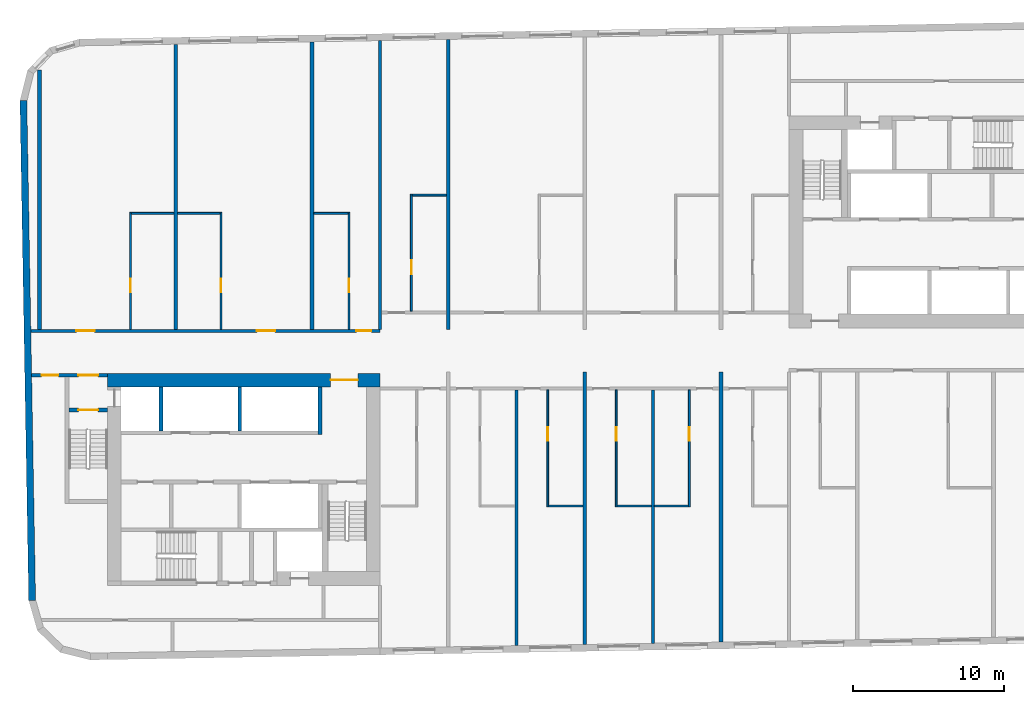
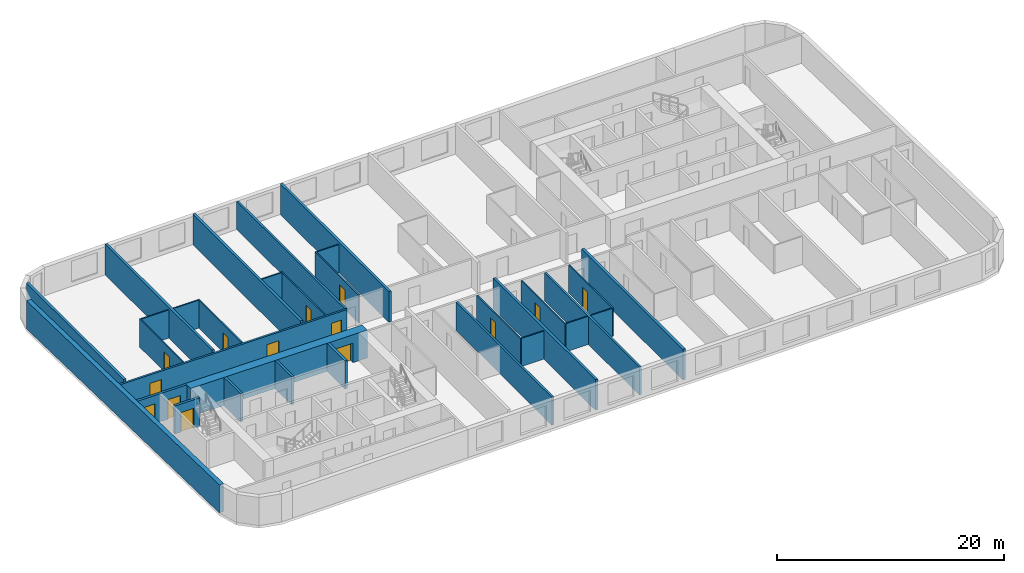
# One storey, part 3 of 11: 31 walls, 14 doors, 14 openings.
"""IFC4 building model written with IfcOpenShell, lengths in metres."""

from ifc_helpers import new_model, si_unit, direction, frame, frame_2d, origin, place, context, subcontext, project, spatial, rectangle, extrude, material, layer, layer_set, type_object, element, fill, save


model = new_model("IFC4")

# Units and contexts
model_context = context("Model", 3, precision=1e-05, world=origin(), true_north=direction((0.0, 1.0)))
body_context = subcontext(model_context, "Body", "Model", "MODEL_VIEW")
ifc_project = project(units=[si_unit("LENGTHUNIT", "METRE"), si_unit("AREAUNIT", "SQUARE_METRE"), si_unit("VOLUMEUNIT", "CUBIC_METRE"), si_unit("PLANEANGLEUNIT", "RADIAN"), si_unit("MASSUNIT", "GRAM", prefix="KILO")], contexts=[model_context])

# Site, building, storey
site_placement = place(None, origin())
site = spatial("IfcSite", under=ifc_project, at=site_placement, CompositionType="ELEMENT")
building_placement = place(site_placement, origin())
building = spatial("IfcBuilding", under=site, at=building_placement, Name="Kajstack Hotel Tower", CompositionType="ELEMENT")
storey_placement = place(building_placement, frame((0.0, 0.0, 244.10009765625)))
storey = spatial("IfcBuildingStorey", under=building, at=storey_placement, Name="L60", CompositionType="ELEMENT", Elevation=244.10009765625)

# Wall, opening, door
ifc_material_1 = material(Name="Concrete C60/75", Category="concrete")
ifc_layer_1 = layer(ifc_material_1, 0.89990234375)
ifc_layer_set_1 = layer_set([ifc_layer_1], Name="Core wall 900")
wall_type_1 = type_object("IfcWallType", Name="Core wall 900", PredefinedType="SHEAR", material=ifc_layer_set_1)
wall_1_placement = place(storey_placement, frame((-31.5, -1.949951171875, 0.0), z_axis=(0.0, 0.0, 1.0), x_axis=(1.0, 0.0, 0.0)))
wall_1 = element("IfcWall", 1, at=wall_1_placement, inside=storey, type_object=wall_type_1, Name="Core wall W RN", PredefinedType="SHEAR", context=body_context, shape_type="SweptSolid", body=[
    extrude(rectangle(XDim=18.0, YDim=0.89990234375, at=frame_2d((9.0, 0.0))), origin(), (0.0, 0.0, 1.0), 3.02001953125),
])
opening_1_placement = place(wall_1_placement, frame((14.72509765625, 0.0, 0.0)))
opening_1 = element("IfcOpeningElement", 2, at=opening_1_placement, cuts=wall_1, Name="Opening 60W07", PredefinedType="OPENING", context=body_context, shape_type="SweptSolid", body=[
    extrude(rectangle(XDim=1.800048828125, YDim=2.10009765625, at=frame_2d((0.89990234375, 1.050048828125))), frame((0.0, 0.4599609375, 0.0), z_axis=(0.0, -1.0, 0.0), x_axis=(1.0, 0.0, 0.0)), (0.0, 0.0, 1.0), 0.919921875),
])
ifc_material_2 = material(Name="Glazed steel frame, fire-rated glass", Category="steel")
door_type_1 = type_object("IfcDoorType", Name="Lobby double door 1800", OperationType="DOUBLE_DOOR_DOUBLE_SWING", PredefinedType="DOOR", material=ifc_material_2)
door_1_placement = place(opening_1_placement, origin())
door_1 = element("IfcDoor", 3, at=door_1_placement, inside=storey, type_object=door_type_1, Name="Door 60W07", OperationType="DOUBLE_DOOR_DOUBLE_SWING", OverallHeight=2.10009765625, OverallWidth=1.800048828125, PredefinedType="DOOR", context=body_context, shape_type="SweptSolid", body=[
    extrude(rectangle(XDim=1.800048828125, YDim=2.10009765625, at=frame_2d((0.89990234375, 1.050048828125))), frame((0.0, 0.02490234375, 0.0), z_axis=(0.0, -1.0, 0.0), x_axis=(1.0, 0.0, 0.0)), (0.0, 0.0, 1.0), 0.050048828125),
])
fill(opening_1, door_1)

# Wall, openings, doors
ifc_material_3 = material(Name="Gypsum board on steel studs, mineral wool", Category="steel")
ifc_layer_2 = layer(ifc_material_3, 0.199951171875)
ifc_layer_set_2 = layer_set([ifc_layer_2], Name="Corridor wall 200")
wall_type_2 = type_object("IfcWallType", Name="Corridor wall 200", PredefinedType="PARTITIONING", material=ifc_layer_set_2)
wall_2_placement = place(storey_placement, frame((-36.56591796875, 1.300048828125, 0.0), z_axis=(0.0, 0.0, 1.0), x_axis=(1.0, 0.0, 0.0)))
wall_2 = element("IfcWall", 4, at=wall_2_placement, inside=storey, type_object=wall_type_2, Name="G-wall-L60-003", PredefinedType="PARTITIONING", context=body_context, shape_type="SweptSolid", body=[
    extrude(rectangle(XDim=23.06591796875, YDim=0.199951171875, at=frame_2d((11.532958984375, 0.0))), origin(), (0.0, 0.0, 1.0), 3.02001953125),
])
opening_2_placement = place(wall_2_placement, frame((3.00390625, 0.0, 0.0)))
opening_2 = element("IfcOpeningElement", 5, at=opening_2_placement, cuts=wall_2, Name="Opening 60001", PredefinedType="OPENING", context=body_context, shape_type="SweptSolid", body=[
    extrude(rectangle(XDim=1.199951171875, YDim=2.10009765625, at=frame_2d((0.60009765625, 1.050048828125))), frame((0.0, 0.10986328125, 0.0), z_axis=(0.0, -1.0, 0.0), x_axis=(1.0, 0.0, 0.0)), (0.0, 0.0, 1.0), 0.219970703125),
])
opening_3_placement = place(wall_2_placement, frame((14.928955078125, 0.0, 0.0)))
opening_3 = element("IfcOpeningElement", 6, at=opening_3_placement, cuts=wall_2, Name="Opening 60003", PredefinedType="OPENING", context=body_context, shape_type="SweptSolid", body=[
    extrude(rectangle(XDim=1.199951171875, YDim=2.10009765625, at=frame_2d((0.60009765625, 1.050048828125))), frame((0.0, 0.10986328125, 0.0), z_axis=(0.0, -1.0, 0.0), x_axis=(1.0, 0.0, 0.0)), (0.0, 0.0, 1.0), 0.219970703125),
])
opening_4_placement = place(wall_2_placement, frame((21.490966796875, 0.0, 0.0)))
opening_4 = element("IfcOpeningElement", 7, at=opening_4_placement, cuts=wall_2, Name="Opening 60005", PredefinedType="OPENING", context=body_context, shape_type="SweptSolid", body=[
    extrude(rectangle(XDim=1.0, YDim=2.10009765625, at=frame_2d((0.5, 1.050048828125))), frame((0.0, 0.10986328125, 0.0), z_axis=(0.0, -1.0, 0.0), x_axis=(1.0, 0.0, 0.0)), (0.0, 0.0, 1.0), 0.219970703125),
])
ifc_material_4 = material(Name="Oak veneer on timber core, fire-rated leaf", Category="wood")
door_type_2 = type_object("IfcDoorType", Name="Flat entrance door 1000", OperationType="SINGLE_SWING_LEFT", PredefinedType="DOOR", material=ifc_material_4)
door_2_placement = place(opening_4_placement, origin())
door_2 = element("IfcDoor", 8, at=door_2_placement, inside=storey, type_object=door_type_2, Name="G-door-L60-05", OperationType="SINGLE_SWING_RIGHT", OverallHeight=2.10009765625, OverallWidth=1.0, PredefinedType="DOOR", context=body_context, shape_type="SweptSolid", body=[
    extrude(rectangle(XDim=1.0, YDim=2.10009765625, at=frame_2d((0.5, 1.050048828125))), frame((0.0, 0.02490234375, 0.0), z_axis=(0.0, -1.0, 0.0), x_axis=(1.0, 0.0, 0.0)), (0.0, 0.0, 1.0), 0.050048828125),
])
fill(opening_4, door_2)
door_type_3 = type_object("IfcDoorType", Name="Flat entrance door 1200", OperationType="SINGLE_SWING_LEFT", PredefinedType="DOOR", material=ifc_material_4)
door_3_placement = place(opening_2_placement, origin())
door_3 = element("IfcDoor", 9, at=door_3_placement, inside=storey, type_object=door_type_3, Name="G-door-L60-01", OperationType="SINGLE_SWING_LEFT", OverallHeight=2.10009765625, OverallWidth=1.199951171875, PredefinedType="DOOR", context=body_context, shape_type="SweptSolid", body=[
    extrude(rectangle(XDim=1.199951171875, YDim=2.10009765625, at=frame_2d((0.60009765625, 1.050048828125))), frame((0.0, 0.02490234375, 0.0), z_axis=(0.0, -1.0, 0.0), x_axis=(1.0, 0.0, 0.0)), (0.0, 0.0, 1.0), 0.050048828125),
])
fill(opening_2, door_3)
door_4_placement = place(opening_3_placement, origin())
door_4 = element("IfcDoor", 10, at=door_4_placement, inside=storey, type_object=door_type_3, Name="G-door-L60-03", OperationType="SINGLE_SWING_RIGHT", OverallHeight=2.10009765625, OverallWidth=1.199951171875, PredefinedType="DOOR", context=body_context, shape_type="SweptSolid", body=[
    extrude(rectangle(XDim=1.199951171875, YDim=2.10009765625, at=frame_2d((0.60009765625, 1.050048828125))), frame((0.0, 0.02490234375, 0.0), z_axis=(0.0, -1.0, 0.0), x_axis=(1.0, 0.0, 0.0)), (0.0, 0.0, 1.0), 0.050048828125),
])
fill(opening_3, door_4)

# Walls
ifc_material_5 = material(Name="Twin-frame gypsum board on steel studs, mineral wool", Category="steel")
ifc_layer_3 = layer(ifc_material_5, 0.199951171875)
ifc_layer_set_3 = layer_set([ifc_layer_3], Name="Demising wall 200")
wall_type_3 = type_object("IfcWallType", Name="Demising wall 200", PredefinedType="PARTITIONING", material=ifc_layer_set_3)
wall_3_placement = place(storey_placement, frame((-13.5, 1.39990234375, 0.0), z_axis=(0.0, 0.0, 1.0), x_axis=(0.0, 1.0, 0.0)))
element("IfcWall", 11, at=wall_3_placement, inside=storey, type_object=wall_type_3, Name="G-wall-L60-009", PredefinedType="PARTITIONING", context=body_context, shape_type="SweptSolid", body=[
    extrude(rectangle(XDim=19.065185546875, YDim=0.199951171875, at=frame_2d((9.53271484375, 0.0))), origin(), (0.0, 0.0, 1.0), 3.02001953125),
])
wall_4_placement = place(storey_placement, frame((-4.5, -19.48388671875, 0.0), z_axis=(0.0, 0.0, 1.0), x_axis=(0.0, 1.0, 0.0)))
element("IfcWall", 12, at=wall_4_placement, inside=storey, type_object=wall_type_3, Name="G-wall-L60-024", PredefinedType="PARTITIONING", context=body_context, shape_type="SweptSolid", body=[
    extrude(rectangle(XDim=16.8837890625, YDim=0.199951171875, at=frame_2d((8.44189453125, 0.0))), origin(), (0.0, 0.0, 1.0), 3.02001953125),
])
wall_5_placement = place(storey_placement, frame((4.5, -19.326904296875, 0.0), z_axis=(0.0, 0.0, 1.0), x_axis=(0.0, 1.0, 0.0)))
element("IfcWall", 13, at=wall_5_placement, inside=storey, type_object=wall_type_3, Name="G-wall-L60-029", PredefinedType="PARTITIONING", context=body_context, shape_type="SweptSolid", body=[
    extrude(rectangle(XDim=16.726806640625, YDim=0.199951171875, at=frame_2d((8.36328125, 0.0))), origin(), (0.0, 0.0, 1.0), 3.02001953125),
])
ifc_material_6 = material(Name="Terracotta-faced brick masonry", Category="masonry")
ifc_layer_4 = layer(ifc_material_6, 0.449951171875)
ifc_layer_set_4 = layer_set([ifc_layer_4], Name="EW-TERRA")
wall_type_4 = type_object("IfcWallType", Name="EW-TERRA", PredefinedType="SOLIDWALL", material=ifc_layer_set_4)
wall_6_placement = place(storey_placement, frame((-37.056884765625, 16.50341796875, 0.0), z_axis=(0.0, 0.0, 1.0), x_axis=(0.017452279857, -0.999847697366, 0.0)))
element("IfcWall", 14, at=wall_6_placement, inside=storey, type_object=wall_type_4, Name="E-wall-L60-00-00", PredefinedType="SOLIDWALL", context=body_context, shape_type="SweptSolid", body=[
    extrude(rectangle(XDim=33.000244140625, YDim=0.449951171875, at=frame_2d((16.5, 0.0))), origin(), (0.0, 0.0, 1.0), 3.02001953125),
])

# Wall, opening, door
ifc_material_7 = material(Name="Gypsum board and tiled backer on steel studs", Category="steel")
ifc_layer_5 = layer(ifc_material_7, 0.125)
ifc_layer_set_5 = layer_set([ifc_layer_5], Name="En-suite wall 125")
wall_type_5 = type_object("IfcWallType", Name="En-suite wall 125", PredefinedType="PARTITIONING", material=ifc_layer_set_5)
wall_7_placement = place(storey_placement, frame((-29.988037109375, 1.39990234375, 0.0), z_axis=(0.0, 0.0, 1.0), x_axis=(0.0, 1.0, 0.0)))
wall_7 = element("IfcWall", 15, at=wall_7_placement, inside=storey, type_object=wall_type_5, Name="G-wall-L60-005", PredefinedType="PARTITIONING", context=body_context, shape_type="SweptSolid", body=[
    extrude(rectangle(XDim=7.72509765625, YDim=0.125, at=frame_2d((3.862548828125, 0.0))), origin(), (0.0, 0.0, 1.0), 3.02001953125),
])
opening_5_placement = place(wall_7_placement, frame((2.449951171875, 0.0, 0.0)))
opening_5 = element("IfcOpeningElement", 16, at=opening_5_placement, cuts=wall_7, Name="Opening 60002", PredefinedType="OPENING", context=body_context, shape_type="SweptSolid", body=[
    extrude(rectangle(XDim=0.89990234375, YDim=2.10009765625, at=frame_2d((0.449951171875, 1.050048828125))), frame((0.0, 0.072509765625, 0.0), z_axis=(0.0, -1.0, 0.0), x_axis=(1.0, 0.0, 0.0)), (0.0, 0.0, 1.0), 0.14501953125),
])
ifc_material_8 = material(Name="Painted timber door leaf", Category="wood")
door_type_4 = type_object("IfcDoorType", Name="Room door 900", OperationType="SINGLE_SWING_LEFT", PredefinedType="DOOR", material=ifc_material_8)
door_5_placement = place(opening_5_placement, origin())
door_5 = element("IfcDoor", 17, at=door_5_placement, inside=storey, type_object=door_type_4, Name="G-door-L60-02", OperationType="SINGLE_SWING_RIGHT", OverallHeight=2.10009765625, OverallWidth=0.89990234375, PredefinedType="DOOR", context=body_context, shape_type="SweptSolid", body=[
    extrude(rectangle(XDim=0.89990234375, YDim=2.10009765625, at=frame_2d((0.449951171875, 1.050048828125))), frame((0.0, 0.02490234375, 0.0), z_axis=(0.0, -1.0, 0.0), x_axis=(1.0, 0.0, 0.0)), (0.0, 0.0, 1.0), 0.050048828125),
])
fill(opening_5, door_5)

# Wall
wall_8_placement = place(storey_placement, frame((-29.925048828125, 9.06201171875, 0.0), z_axis=(0.0, 0.0, 1.0), x_axis=(1.0, 0.0, 0.0)))
element("IfcWall", 18, at=wall_8_placement, inside=storey, type_object=wall_type_5, Name="G-wall-L60-006", PredefinedType="PARTITIONING", context=body_context, shape_type="SweptSolid", body=[
    extrude(rectangle(XDim=2.800048828125, YDim=0.125, at=frame_2d((1.39990234375, 0.0))), origin(), (0.0, 0.0, 1.0), 3.02001953125),
])

# Wall, opening, door
wall_9_placement = place(storey_placement, frame((-24.011962890625, 1.39990234375, 0.0), z_axis=(0.0, 0.0, 1.0), x_axis=(0.0, 1.0, 0.0)))
wall_9 = element("IfcWall", 19, at=wall_9_placement, inside=storey, type_object=wall_type_5, Name="G-wall-L60-007", PredefinedType="PARTITIONING", context=body_context, shape_type="SweptSolid", body=[
    extrude(rectangle(XDim=7.72509765625, YDim=0.125, at=frame_2d((3.862548828125, 0.0))), origin(), (0.0, 0.0, 1.0), 3.02001953125),
])
opening_6_placement = place(wall_9_placement, frame((2.449951171875, 0.0, 0.0)))
opening_6 = element("IfcOpeningElement", 20, at=opening_6_placement, cuts=wall_9, Name="Opening 60004", PredefinedType="OPENING", context=body_context, shape_type="SweptSolid", body=[
    extrude(rectangle(XDim=0.89990234375, YDim=2.10009765625, at=frame_2d((0.449951171875, 1.050048828125))), frame((0.0, 0.072509765625, 0.0), z_axis=(0.0, -1.0, 0.0), x_axis=(1.0, 0.0, 0.0)), (0.0, 0.0, 1.0), 0.14501953125),
])
door_6_placement = place(opening_6_placement, origin())
door_6 = element("IfcDoor", 21, at=door_6_placement, inside=storey, type_object=door_type_4, Name="G-door-L60-04", OperationType="SINGLE_SWING_LEFT", OverallHeight=2.10009765625, OverallWidth=0.89990234375, PredefinedType="DOOR", context=body_context, shape_type="SweptSolid", body=[
    extrude(rectangle(XDim=0.89990234375, YDim=2.10009765625, at=frame_2d((0.449951171875, 1.050048828125))), frame((0.0, 0.02490234375, 0.0), z_axis=(0.0, -1.0, 0.0), x_axis=(1.0, 0.0, 0.0)), (0.0, 0.0, 1.0), 0.050048828125),
])
fill(opening_6, door_6)

# Wall
wall_10_placement = place(storey_placement, frame((-26.875, 9.06201171875, 0.0), z_axis=(0.0, 0.0, 1.0), x_axis=(1.0, 0.0, 0.0)))
element("IfcWall", 22, at=wall_10_placement, inside=storey, type_object=wall_type_5, Name="G-wall-L60-008", PredefinedType="PARTITIONING", context=body_context, shape_type="SweptSolid", body=[
    extrude(rectangle(XDim=2.800048828125, YDim=0.125, at=frame_2d((1.39990234375, 0.0))), origin(), (0.0, 0.0, 1.0), 3.02001953125),
])

# Wall, opening, door
wall_11_placement = place(storey_placement, frame((-15.56201171875, 1.39990234375, 0.0), z_axis=(0.0, 0.0, 1.0), x_axis=(0.0, 1.0, 0.0)))
wall_11 = element("IfcWall", 23, at=wall_11_placement, inside=storey, type_object=wall_type_5, Name="G-wall-L60-010", PredefinedType="PARTITIONING", context=body_context, shape_type="SweptSolid", body=[
    extrude(rectangle(XDim=7.72509765625, YDim=0.125, at=frame_2d((3.862548828125, 0.0))), origin(), (0.0, 0.0, 1.0), 3.02001953125),
])
opening_7_placement = place(wall_11_placement, frame((2.449951171875, 0.0, 0.0)))
opening_7 = element("IfcOpeningElement", 24, at=opening_7_placement, cuts=wall_11, Name="Opening 60006", PredefinedType="OPENING", context=body_context, shape_type="SweptSolid", body=[
    extrude(rectangle(XDim=0.89990234375, YDim=2.10009765625, at=frame_2d((0.449951171875, 1.050048828125))), frame((0.0, 0.072509765625, 0.0), z_axis=(0.0, -1.0, 0.0), x_axis=(1.0, 0.0, 0.0)), (0.0, 0.0, 1.0), 0.14501953125),
])
door_7_placement = place(opening_7_placement, origin())
door_7 = element("IfcDoor", 25, at=door_7_placement, inside=storey, type_object=door_type_4, Name="G-door-L60-06", OperationType="SINGLE_SWING_LEFT", OverallHeight=2.10009765625, OverallWidth=0.89990234375, PredefinedType="DOOR", context=body_context, shape_type="SweptSolid", body=[
    extrude(rectangle(XDim=0.89990234375, YDim=2.10009765625, at=frame_2d((0.449951171875, 1.050048828125))), frame((0.0, 0.02490234375, 0.0), z_axis=(0.0, -1.0, 0.0), x_axis=(1.0, 0.0, 0.0)), (0.0, 0.0, 1.0), 0.050048828125),
])
fill(opening_7, door_7)

# Wall
wall_12_placement = place(storey_placement, frame((-17.875, 9.06201171875, 0.0), z_axis=(0.0, 0.0, 1.0), x_axis=(1.0, 0.0, 0.0)))
element("IfcWall", 26, at=wall_12_placement, inside=storey, type_object=wall_type_5, Name="G-wall-L60-011", PredefinedType="PARTITIONING", context=body_context, shape_type="SweptSolid", body=[
    extrude(rectangle(XDim=2.25, YDim=0.125, at=frame_2d((1.125, 0.0))), origin(), (0.0, 0.0, 1.0), 3.02001953125),
])

# Wall, opening, door
wall_13_placement = place(storey_placement, frame((-11.43798828125, 2.60009765625, 0.0), z_axis=(0.0, 0.0, 1.0), x_axis=(0.0, 1.0, 0.0)))
wall_13 = element("IfcWall", 27, at=wall_13_placement, inside=storey, type_object=wall_type_5, Name="G-wall-L60-012", PredefinedType="PARTITIONING", context=body_context, shape_type="SweptSolid", body=[
    extrude(rectangle(XDim=7.724853515625, YDim=0.125, at=frame_2d((3.8623046875, 0.0))), origin(), (0.0, 0.0, 1.0), 3.02001953125),
])
opening_8_placement = place(wall_13_placement, frame((2.449951171875, 0.0, 0.0)))
opening_8 = element("IfcOpeningElement", 28, at=opening_8_placement, cuts=wall_13, Name="Opening 60008", PredefinedType="OPENING", context=body_context, shape_type="SweptSolid", body=[
    extrude(rectangle(XDim=0.89990234375, YDim=2.10009765625, at=frame_2d((0.449951171875, 1.050048828125))), frame((0.0, 0.072509765625, 0.0), z_axis=(0.0, -1.0, 0.0), x_axis=(1.0, 0.0, 0.0)), (0.0, 0.0, 1.0), 0.14501953125),
])
door_8_placement = place(opening_8_placement, origin())
door_8 = element("IfcDoor", 29, at=door_8_placement, inside=storey, type_object=door_type_4, Name="G-door-L60-08", OperationType="SINGLE_SWING_RIGHT", OverallHeight=2.10009765625, OverallWidth=0.89990234375, PredefinedType="DOOR", context=body_context, shape_type="SweptSolid", body=[
    extrude(rectangle(XDim=0.89990234375, YDim=2.10009765625, at=frame_2d((0.449951171875, 1.050048828125))), frame((0.0, 0.02490234375, 0.0), z_axis=(0.0, -1.0, 0.0), x_axis=(1.0, 0.0, 0.0)), (0.0, 0.0, 1.0), 0.050048828125),
])
fill(opening_8, door_8)

# Wall
wall_14_placement = place(storey_placement, frame((-11.375, 10.261962890625, 0.0), z_axis=(0.0, 0.0, 1.0), x_axis=(1.0, 0.0, 0.0)))
element("IfcWall", 30, at=wall_14_placement, inside=storey, type_object=wall_type_5, Name="G-wall-L60-013", PredefinedType="PARTITIONING", context=body_context, shape_type="SweptSolid", body=[
    extrude(rectangle(XDim=2.25, YDim=0.125, at=frame_2d((1.125, 0.0))), origin(), (0.0, 0.0, 1.0), 3.02001953125),
])

# Wall, opening, door
wall_15_placement = place(storey_placement, frame((-2.43798828125, -10.324951171875, 0.0), z_axis=(0.0, 0.0, 1.0), x_axis=(0.0, 1.0, 0.0)))
wall_15 = element("IfcWall", 31, at=wall_15_placement, inside=storey, type_object=wall_type_5, Name="G-wall-L60-027", PredefinedType="PARTITIONING", context=body_context, shape_type="SweptSolid", body=[
    extrude(rectangle(XDim=7.724853515625, YDim=0.125, at=frame_2d((3.8623046875, 0.0))), origin(), (0.0, 0.0, 1.0), 3.02001953125),
])
opening_9_placement = place(wall_15_placement, frame((4.375, 0.0, 0.0)))
opening_9 = element("IfcOpeningElement", 32, at=opening_9_placement, cuts=wall_15, Name="Opening 60020", PredefinedType="OPENING", context=body_context, shape_type="SweptSolid", body=[
    extrude(rectangle(XDim=0.89990234375, YDim=2.10009765625, at=frame_2d((0.449951171875, 1.050048828125))), frame((0.0, 0.072509765625, 0.0), z_axis=(0.0, -1.0, 0.0), x_axis=(1.0, 0.0, 0.0)), (0.0, 0.0, 1.0), 0.14501953125),
])
door_9_placement = place(opening_9_placement, origin())
door_9 = element("IfcDoor", 33, at=door_9_placement, inside=storey, type_object=door_type_4, Name="G-door-L60-20", OperationType="SINGLE_SWING_RIGHT", OverallHeight=2.10009765625, OverallWidth=0.89990234375, PredefinedType="DOOR", context=body_context, shape_type="SweptSolid", body=[
    extrude(rectangle(XDim=0.89990234375, YDim=2.10009765625, at=frame_2d((0.449951171875, 1.050048828125))), frame((0.0, 0.02490234375, 0.0), z_axis=(0.0, -1.0, 0.0), x_axis=(1.0, 0.0, 0.0)), (0.0, 0.0, 1.0), 0.050048828125),
])
fill(opening_9, door_9)

# Wall
wall_16_placement = place(storey_placement, frame((-2.375, -10.261962890625, 0.0), z_axis=(0.0, 0.0, 1.0), x_axis=(1.0, 0.0, 0.0)))
element("IfcWall", 34, at=wall_16_placement, inside=storey, type_object=wall_type_5, Name="G-wall-L60-028", PredefinedType="PARTITIONING", context=body_context, shape_type="SweptSolid", body=[
    extrude(rectangle(XDim=2.25, YDim=0.125, at=frame_2d((1.125, 0.0))), origin(), (0.0, 0.0, 1.0), 3.02001953125),
])

# Wall, opening, door
wall_17_placement = place(storey_placement, frame((2.0869140625, -10.324951171875, 0.0), z_axis=(0.0, 0.0, 1.0), x_axis=(0.0, 1.0, 0.0)))
wall_17 = element("IfcWall", 35, at=wall_17_placement, inside=storey, type_object=wall_type_5, Name="G-wall-L60-030", PredefinedType="PARTITIONING", context=body_context, shape_type="SweptSolid", body=[
    extrude(rectangle(XDim=7.724853515625, YDim=0.125, at=frame_2d((3.8623046875, 0.0))), origin(), (0.0, 0.0, 1.0), 3.02001953125),
])
opening_10_placement = place(wall_17_placement, frame((4.375, 0.0, 0.0)))
opening_10 = element("IfcOpeningElement", 36, at=opening_10_placement, cuts=wall_17, Name="Opening 60022", PredefinedType="OPENING", context=body_context, shape_type="SweptSolid", body=[
    extrude(rectangle(XDim=0.89990234375, YDim=2.10009765625, at=frame_2d((0.449951171875, 1.050048828125))), frame((0.0, 0.072509765625, 0.0), z_axis=(0.0, -1.0, 0.0), x_axis=(1.0, 0.0, 0.0)), (0.0, 0.0, 1.0), 0.14501953125),
])
door_10_placement = place(opening_10_placement, origin())
door_10 = element("IfcDoor", 37, at=door_10_placement, inside=storey, type_object=door_type_4, Name="G-door-L60-22", OperationType="SINGLE_SWING_RIGHT", OverallHeight=2.10009765625, OverallWidth=0.89990234375, PredefinedType="DOOR", context=body_context, shape_type="SweptSolid", body=[
    extrude(rectangle(XDim=0.89990234375, YDim=2.10009765625, at=frame_2d((0.449951171875, 1.050048828125))), frame((0.0, 0.02490234375, 0.0), z_axis=(0.0, -1.0, 0.0), x_axis=(1.0, 0.0, 0.0)), (0.0, 0.0, 1.0), 0.050048828125),
])
fill(opening_10, door_10)

# Wall
wall_18_placement = place(storey_placement, frame((2.14990234375, -10.261962890625, 0.0), z_axis=(0.0, 0.0, 1.0), x_axis=(1.0, 0.0, 0.0)))
element("IfcWall", 38, at=wall_18_placement, inside=storey, type_object=wall_type_5, Name="G-wall-L60-031", PredefinedType="PARTITIONING", context=body_context, shape_type="SweptSolid", body=[
    extrude(rectangle(XDim=2.25, YDim=0.125, at=frame_2d((1.125, 0.0))), origin(), (0.0, 0.0, 1.0), 3.02001953125),
])

# Wall, opening, door
wall_19_placement = place(storey_placement, frame((6.912109375, -10.324951171875, 0.0), z_axis=(0.0, 0.0, 1.0), x_axis=(0.0, 1.0, 0.0)))
wall_19 = element("IfcWall", 39, at=wall_19_placement, inside=storey, type_object=wall_type_5, Name="G-wall-L60-032", PredefinedType="PARTITIONING", context=body_context, shape_type="SweptSolid", body=[
    extrude(rectangle(XDim=7.724853515625, YDim=0.125, at=frame_2d((3.8623046875, 0.0))), origin(), (0.0, 0.0, 1.0), 3.02001953125),
])
opening_11_placement = place(wall_19_placement, frame((4.375, 0.0, 0.0)))
opening_11 = element("IfcOpeningElement", 40, at=opening_11_placement, cuts=wall_19, Name="Opening 60024", PredefinedType="OPENING", context=body_context, shape_type="SweptSolid", body=[
    extrude(rectangle(XDim=0.89990234375, YDim=2.10009765625, at=frame_2d((0.449951171875, 1.050048828125))), frame((0.0, 0.072509765625, 0.0), z_axis=(0.0, -1.0, 0.0), x_axis=(1.0, 0.0, 0.0)), (0.0, 0.0, 1.0), 0.14501953125),
])
door_11_placement = place(opening_11_placement, origin())
door_11 = element("IfcDoor", 41, at=door_11_placement, inside=storey, type_object=door_type_4, Name="G-door-L60-24", OperationType="SINGLE_SWING_RIGHT", OverallHeight=2.10009765625, OverallWidth=0.89990234375, PredefinedType="DOOR", context=body_context, shape_type="SweptSolid", body=[
    extrude(rectangle(XDim=0.89990234375, YDim=2.10009765625, at=frame_2d((0.449951171875, 1.050048828125))), frame((0.0, 0.02490234375, 0.0), z_axis=(0.0, -1.0, 0.0), x_axis=(1.0, 0.0, 0.0)), (0.0, 0.0, 1.0), 0.050048828125),
])
fill(opening_11, door_11)

# Walls
wall_20_placement = place(storey_placement, frame((4.60009765625, -10.261962890625, 0.0), z_axis=(0.0, 0.0, 1.0), x_axis=(1.0, 0.0, 0.0)))
element("IfcWall", 42, at=wall_20_placement, inside=storey, type_object=wall_type_5, Name="G-wall-L60-033", PredefinedType="PARTITIONING", context=body_context, shape_type="SweptSolid", body=[
    extrude(rectangle(XDim=2.25, YDim=0.125, at=frame_2d((1.125, 0.0))), origin(), (0.0, 0.0, 1.0), 3.02001953125),
])
ifc_material_9 = material(Name="Concrete C50/60", Category="concrete")
ifc_layer_6 = layer(ifc_material_9, 0.300048828125)
ifc_layer_set_6 = layer_set([ifc_layer_6], Name="Hoistway divider wall 300")
wall_type_6 = type_object("IfcWallType", Name="Hoistway divider wall 300", PredefinedType="SHEAR", material=ifc_layer_set_6)
wall_21_placement = place(storey_placement, frame((-22.77490234375, -5.300048828125, 0.0), z_axis=(0.0, 0.0, 1.0), x_axis=(0.0, 1.0, 0.0)))
element("IfcWall", 43, at=wall_21_placement, inside=storey, type_object=wall_type_6, Name="Core wall W AP2", PredefinedType="SHEAR", context=body_context, shape_type="SweptSolid", body=[
    extrude(rectangle(XDim=2.900146484375, YDim=0.25, at=frame_2d((1.4501953125, 0.0))), origin(), (0.0, 0.0, 1.0), 3.02001953125),
])
ifc_material_10 = material(Name="Concrete C45/55", Category="concrete")
ifc_layer_7 = layer(ifc_material_10, 0.25)
ifc_layer_set_7 = layer_set([ifc_layer_7], Name="RC cross wall 250 C45/55")
wall_type_7 = type_object("IfcWallType", Name="RC cross wall 250 C45/55", PredefinedType="SHEAR", material=ifc_layer_set_7)
wall_22_placement = place(storey_placement, frame((-36.0, 1.39990234375, 0.0), z_axis=(0.0, 0.0, 1.0), x_axis=(0.0, 1.0, 0.0)))
element("IfcWall", 44, at=wall_22_placement, inside=storey, type_object=wall_type_7, Name="S-wall-L60-01", PredefinedType="SHEAR", context=body_context, shape_type="SweptSolid", body=[
    extrude(rectangle(XDim=17.12548828125, YDim=0.25, at=frame_2d((8.562744140625, 0.0))), origin(), (0.0, 0.0, 1.0), 3.2998046875),
])
wall_23_placement = place(storey_placement, frame((-27.0, 1.39990234375, 0.0), z_axis=(0.0, 0.0, 1.0), x_axis=(0.0, 1.0, 0.0)))
element("IfcWall", 45, at=wall_23_placement, inside=storey, type_object=wall_type_7, Name="S-wall-L60-02", PredefinedType="SHEAR", context=body_context, shape_type="SweptSolid", body=[
    extrude(rectangle(XDim=18.8173828125, YDim=0.25, at=frame_2d((9.40869140625, 0.0))), origin(), (0.0, 0.0, 1.0), 3.2998046875),
])
wall_24_placement = place(storey_placement, frame((-18.0, 1.39990234375, 0.0), z_axis=(0.0, 0.0, 1.0), x_axis=(0.0, 1.0, 0.0)))
element("IfcWall", 46, at=wall_24_placement, inside=storey, type_object=wall_type_7, Name="S-wall-L60-03", PredefinedType="SHEAR", context=body_context, shape_type="SweptSolid", body=[
    extrude(rectangle(XDim=18.974365234375, YDim=0.25, at=frame_2d((9.4873046875, 0.0))), origin(), (0.0, 0.0, 1.0), 3.2998046875),
])
wall_25_placement = place(storey_placement, frame((-9.0, 1.39990234375, 0.0), z_axis=(0.0, 0.0, 1.0), x_axis=(0.0, 1.0, 0.0)))
element("IfcWall", 47, at=wall_25_placement, inside=storey, type_object=wall_type_7, Name="S-wall-L60-05", PredefinedType="SHEAR", context=body_context, shape_type="SweptSolid", body=[
    extrude(rectangle(XDim=19.131591796875, YDim=0.25, at=frame_2d((9.56591796875, 0.0))), origin(), (0.0, 0.0, 1.0), 3.2998046875),
])
wall_26_placement = place(storey_placement, frame((0.0, -19.393310546875, 0.0), z_axis=(0.0, 0.0, 1.0), x_axis=(0.0, 1.0, 0.0)))
element("IfcWall", 48, at=wall_26_placement, inside=storey, type_object=wall_type_7, Name="S-wall-L60-06", PredefinedType="SHEAR", context=body_context, shape_type="SweptSolid", body=[
    extrude(rectangle(XDim=17.993408203125, YDim=0.25, at=frame_2d((8.99658203125, 0.0))), origin(), (0.0, 0.0, 1.0), 3.2998046875),
])
wall_27_placement = place(storey_placement, frame((9.0, -19.236083984375, 0.0), z_axis=(0.0, 0.0, 1.0), x_axis=(0.0, 1.0, 0.0)))
element("IfcWall", 49, at=wall_27_placement, inside=storey, type_object=wall_type_7, Name="S-wall-L60-08", PredefinedType="SHEAR", context=body_context, shape_type="SweptSolid", body=[
    extrude(rectangle(XDim=17.836181640625, YDim=0.25, at=frame_2d((8.91796875, 0.0))), origin(), (0.0, 0.0, 1.0), 3.2998046875),
])

# Wall, openings, doors
ifc_layer_8 = layer(ifc_material_3, 0.199951171875)
ifc_layer_set_8 = layer_set([ifc_layer_8], Name="Service partition 200")
wall_type_8 = type_object("IfcWallType", Name="Service partition 200", PredefinedType="PARTITIONING", material=ifc_layer_set_8)
wall_28_placement = place(storey_placement, frame((-36.515380859375, -1.625, 0.0), z_axis=(0.0, 0.0, 1.0), x_axis=(1.0, 0.0, 0.0)))
wall_28 = element("IfcWall", 50, at=wall_28_placement, inside=storey, type_object=wall_type_8, Name="Partition W SN", PredefinedType="PARTITIONING", context=body_context, shape_type="SweptSolid", body=[
    extrude(rectangle(XDim=5.015380859375, YDim=0.25, at=frame_2d((2.5078125, 0.0))), origin(), (0.0, 0.0, 1.0), 3.02001953125),
])
opening_12_placement = place(wall_28_placement, frame((3.09033203125, 0.0, 0.0)))
opening_12 = element("IfcOpeningElement", 51, at=opening_12_placement, cuts=wall_28, Name="Opening 60W08", PredefinedType="OPENING", context=body_context, shape_type="SweptSolid", body=[
    extrude(rectangle(XDim=1.300048828125, YDim=2.10009765625, at=frame_2d((0.64990234375, 1.050048828125))), frame((0.0, 0.135009765625, 0.0), z_axis=(0.0, -1.0, 0.0), x_axis=(1.0, 0.0, 0.0)), (0.0, 0.0, 1.0), 0.27001953125),
])
opening_13_placement = place(wall_28_placement, frame((0.665283203125, 0.0, 0.0)))
opening_13 = element("IfcOpeningElement", 52, at=opening_13_placement, cuts=wall_28, Name="Opening 60W10", PredefinedType="OPENING", context=body_context, shape_type="SweptSolid", body=[
    extrude(rectangle(XDim=1.10009765625, YDim=2.10009765625, at=frame_2d((0.550048828125, 1.050048828125))), frame((0.0, 0.135009765625, 0.0), z_axis=(0.0, -1.0, 0.0), x_axis=(1.0, 0.0, 0.0)), (0.0, 0.0, 1.0), 0.27001953125),
])
ifc_material_11 = material(Name="Steel leaf, fire-rated", Category="steel")
door_type_5 = type_object("IfcDoorType", Name="Fire lobby door 1300", OperationType="SINGLE_SWING_LEFT", PredefinedType="DOOR", material=ifc_material_11)
door_12_placement = place(opening_12_placement, origin())
door_12 = element("IfcDoor", 53, at=door_12_placement, inside=storey, type_object=door_type_5, Name="Door 60W08", OperationType="SINGLE_SWING_RIGHT", OverallHeight=2.10009765625, OverallWidth=1.300048828125, PredefinedType="DOOR", context=body_context, shape_type="SweptSolid", body=[
    extrude(rectangle(XDim=1.300048828125, YDim=2.10009765625, at=frame_2d((0.64990234375, 1.050048828125))), frame((0.0, 0.02490234375, 0.0), z_axis=(0.0, -1.0, 0.0), x_axis=(1.0, 0.0, 0.0)), (0.0, 0.0, 1.0), 0.050048828125),
])
fill(opening_12, door_12)
ifc_material_12 = material(Name="Timber leaf, fire-rated", Category="wood")
door_type_6 = type_object("IfcDoorType", Name="Service corridor door 1100", OperationType="SINGLE_SWING_LEFT", PredefinedType="DOOR", material=ifc_material_12)
door_13_placement = place(opening_13_placement, origin())
door_13 = element("IfcDoor", 54, at=door_13_placement, inside=storey, type_object=door_type_6, Name="Door 60W10", OperationType="SINGLE_SWING_RIGHT", OverallHeight=2.10009765625, OverallWidth=1.10009765625, PredefinedType="DOOR", context=body_context, shape_type="SweptSolid", body=[
    extrude(rectangle(XDim=1.10009765625, YDim=2.10009765625, at=frame_2d((0.550048828125, 1.050048828125))), frame((0.0, 0.02490234375, 0.0), z_axis=(0.0, -1.0, 0.0), x_axis=(1.0, 0.0, 0.0)), (0.0, 0.0, 1.0), 0.050048828125),
])
fill(opening_13, door_13)

# Walls
ifc_layer_9 = layer(ifc_material_9, 0.25)
ifc_layer_set_9 = layer_set([ifc_layer_9], Name="Shaft wall 250")
wall_type_9 = type_object("IfcWallType", Name="Shaft wall 250", PredefinedType="SHEAR", material=ifc_layer_set_9)
wall_29_placement = place(storey_placement, frame((-17.47509765625, -5.550048828125, 0.0), z_axis=(0.0, 0.0, 1.0), x_axis=(0.0, 1.0, 0.0)))
element("IfcWall", 55, at=wall_29_placement, inside=storey, type_object=wall_type_9, Name="Core wall W AE", PredefinedType="SHEAR", context=body_context, shape_type="SweptSolid", body=[
    extrude(rectangle(XDim=3.150146484375, YDim=0.25, at=frame_2d((1.5751953125, 0.0))), origin(), (0.0, 0.0, 1.0), 3.02001953125),
])
wall_30_placement = place(storey_placement, frame((-27.97509765625, -5.300048828125, 0.0), z_axis=(0.0, 0.0, 1.0), x_axis=(0.0, 1.0, 0.0)))
element("IfcWall", 56, at=wall_30_placement, inside=storey, type_object=wall_type_9, Name="Core wall W AP0", PredefinedType="SHEAR", context=body_context, shape_type="SweptSolid", body=[
    extrude(rectangle(XDim=2.900146484375, YDim=0.25, at=frame_2d((1.4501953125, 0.0))), origin(), (0.0, 0.0, 1.0), 3.02001953125),
])

# Wall, opening, door
ifc_material_13 = material(Name="Concrete C40/50", Category="concrete")
ifc_layer_10 = layer(ifc_material_13, 0.25)
ifc_layer_set_10 = layer_set([ifc_layer_10], Name="Stair enclosure wall 250")
wall_type_10 = type_object("IfcWallType", Name="Stair enclosure wall 250", PredefinedType="SHEAR", material=ifc_layer_set_10)
wall_31_placement = place(storey_placement, frame((-34.050048828125, -3.925048828125, 0.0), z_axis=(0.0, 0.0, 1.0), x_axis=(1.0, 0.0, 0.0)))
wall_31 = element("IfcWall", 57, at=wall_31_placement, inside=storey, type_object=wall_type_10, Name="Core wall W W1N", PredefinedType="SHEAR", context=body_context, shape_type="SweptSolid", body=[
    extrude(rectangle(XDim=2.550048828125, YDim=0.25, at=frame_2d((1.27490234375, 0.0))), origin(), (0.0, 0.0, 1.0), 3.02001953125),
])
opening_14_placement = place(wall_31_placement, frame((0.625, 0.0, 0.0)))
opening_14 = element("IfcOpeningElement", 58, at=opening_14_placement, cuts=wall_31, Name="Opening 60W09", PredefinedType="OPENING", context=body_context, shape_type="SweptSolid", body=[
    extrude(rectangle(XDim=1.300048828125, YDim=2.10009765625, at=frame_2d((0.64990234375, 1.050048828125))), frame((0.0, 0.135009765625, 0.0), z_axis=(0.0, -1.0, 0.0), x_axis=(1.0, 0.0, 0.0)), (0.0, 0.0, 1.0), 0.27001953125),
])
door_type_7 = type_object("IfcDoorType", Name="Stair door 1300", OperationType="SINGLE_SWING_LEFT", PredefinedType="DOOR", material=ifc_material_11)
door_14_placement = place(opening_14_placement, origin())
door_14 = element("IfcDoor", 59, at=door_14_placement, inside=storey, type_object=door_type_7, Name="Door 60W09", OperationType="SINGLE_SWING_RIGHT", OverallHeight=2.10009765625, OverallWidth=1.300048828125, PredefinedType="DOOR", context=body_context, shape_type="SweptSolid", body=[
    extrude(rectangle(XDim=1.300048828125, YDim=2.10009765625, at=frame_2d((0.64990234375, 1.050048828125))), frame((0.0, 0.02490234375, 0.0), z_axis=(0.0, -1.0, 0.0), x_axis=(1.0, 0.0, 0.0)), (0.0, 0.0, 1.0), 0.050048828125),
])
fill(opening_14, door_14)

save(model, "model.ifc")
